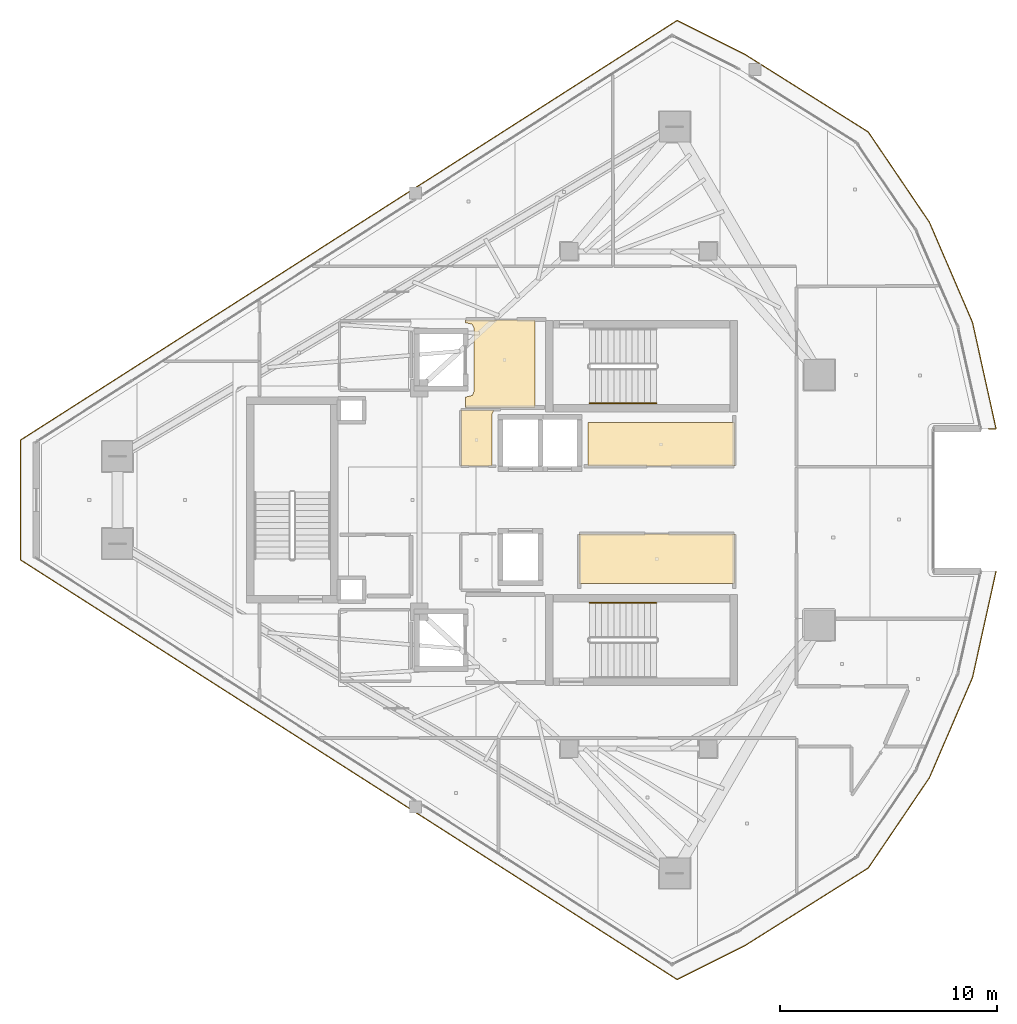
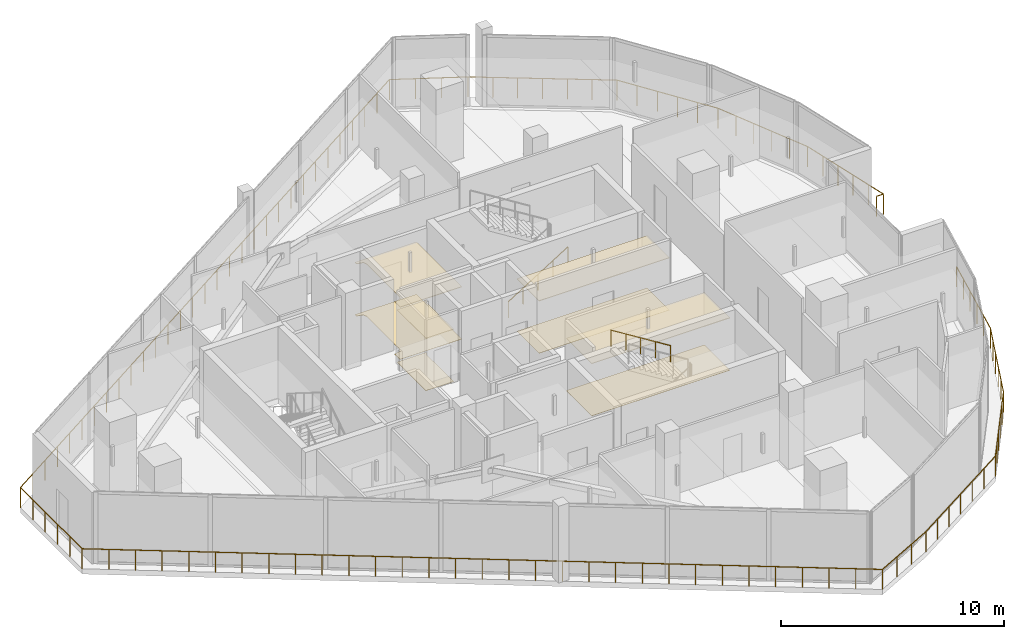
# One storey, part 23 of 25: 8 coverings, 3 railings.
"""IFC4 building model written with IfcOpenShell, lengths in metres."""

import ifcopenshell
import ifcopenshell.guid

model = None  # the IFC model being written
_history = None  # IfcOwnerHistory: only IFC2X3 demands one
_inside = {}  # id of a spatial element -> (the spatial element, [elements in it])
_under = {}  # id of a project, library or spatial element -> (it, [spatial elements below it])
_declared = {}  # id of a project -> (the project, [libraries it declares])
_typed = {}  # id of a type object -> (the type object, [elements of that type])
_made_of = {}  # id of a material, layer set ... -> (it, [elements and type objects made of it])


def new_model(schema):
    """Start an empty IFC model of exactly this schema.

    Asked for "IFC4X3", IfcOpenShell would pick the latest addendum, in which some entities
    have other attributes; the version numbers below select the first issue.
    IFC2X3 requires an IfcOwnerHistory on every rooted entity: one is made here for all.
    """
    global model, _history
    if schema == "IFC4X3":
        model = ifcopenshell.file(schema_version=(4, 3, 0, 0))
    else:
        model = ifcopenshell.file(schema=schema)
    _inside.clear()
    _under.clear()
    _declared.clear()
    _typed.clear()
    _made_of.clear()
    _history = None
    if model.schema == "IFC2X3":
        org = make("IfcOrganization", Name="unknown")
        user = make(
            "IfcPersonAndOrganization",
            ThePerson=make("IfcPerson", FamilyName="unknown"),
            TheOrganization=org,
        )
        app = make(
            "IfcApplication",
            ApplicationDeveloper=org,
            Version="unknown",
            ApplicationFullName="unknown",
            ApplicationIdentifier="unknown",
        )
        _history = make(
            "IfcOwnerHistory",
            OwningUser=user,
            OwningApplication=app,
            ChangeAction="ADDED",
            CreationDate=0,
        )
    return model


def make(cls, **values):
    """One entity of the class cls with the attributes given. An attribute that is None is left unset."""
    return model.create_entity(
        cls, **{name: value for name, value in values.items() if value is not None}
    )


def rooted(cls, **values):
    """An entity with a GlobalId (a new one), such as an element, a storey or a relation."""
    return make(cls, GlobalId=ifcopenshell.guid.new(), OwnerHistory=_history, **values)


def si_unit(unit_type, name, prefix=None):
    """IfcSIUnit, for example si_unit("LENGTHUNIT", "METRE", prefix="MILLI")."""
    return make("IfcSIUnit", UnitType=unit_type, Prefix=prefix, Name=name)


def assignment(units):
    """IfcUnitAssignment: the units of a project."""
    return None if units is None else make("IfcUnitAssignment", Units=units)


def point(xyz):
    """IfcCartesianPoint."""
    return None if xyz is None else make("IfcCartesianPoint", Coordinates=xyz)


def direction(xyz):
    """IfcDirection."""
    return None if xyz is None else make("IfcDirection", DirectionRatios=xyz)


def frame(location, z_axis=None, x_axis=None):
    """IfcAxis2Placement3D, a coordinate frame: its origin and axes. An axis left out is left unset."""
    return make(
        "IfcAxis2Placement3D",
        Location=point(location),
        Axis=direction(z_axis),
        RefDirection=direction(x_axis),
    )


def frame_2d(location, x_axis=None):
    """IfcAxis2Placement2D, a coordinate frame in the plane: its origin and x axis."""
    return make(
        "IfcAxis2Placement2D", Location=point(location), RefDirection=direction(x_axis)
    )


def origin():
    """The frame at (0, 0, 0) with its axes left unset."""
    return frame((0.0, 0.0, 0.0))


def origin_2d():
    """The frame at (0, 0) in the plane with its x axis left unset."""
    return frame_2d((0.0, 0.0))


def place(relative_to, where):
    """IfcLocalPlacement: puts the frame where relative to a parent placement (None: the world)."""
    return make(
        "IfcLocalPlacement", PlacementRelTo=relative_to, RelativePlacement=where
    )


def context(
    kind, dimensions, precision=None, world=None, true_north=None, identifier=None
):
    """IfcGeometricRepresentationContext, for example the 3D "Model" context."""
    return make(
        "IfcGeometricRepresentationContext",
        ContextIdentifier=identifier,
        ContextType=kind,
        CoordinateSpaceDimension=dimensions,
        Precision=precision,
        WorldCoordinateSystem=world,
        TrueNorth=true_north,
    )


def subcontext(parent, identifier, kind, view, scale=None):
    """IfcGeometricRepresentationSubContext, for example "Body" below "Model"."""
    return make(
        "IfcGeometricRepresentationSubContext",
        ContextIdentifier=identifier,
        ContextType=kind,
        ParentContext=parent,
        TargetScale=scale,
        TargetView=view,
    )


def project(units=None, contexts=None):
    """IfcProject with its units and contexts."""
    return rooted(
        "IfcProject",
        Name="project",
        RepresentationContexts=contexts,
        UnitsInContext=assignment(units),
    )


def spatial(cls, under=None, at=None, **own):
    """A site, building, storey or space (cls), placed at a placement, below another one or the project."""
    s = rooted(cls, ObjectPlacement=at, **own)
    if under is not None:
        _under.setdefault(under.id(), (under, []))[1].append(s)
    return s


def polyline(points):
    """IfcPolyline through the points."""
    return make("IfcPolyline", Points=[point(p) for p in points])


def profile(cls, at=None, kind="AREA", **sizes):
    """A parametric profile (cls). Its sizes go by their IFC names, for example OverallWidth=200.0."""
    return make(cls, ProfileType=kind, Position=at, **sizes)


def circle(**sizes):
    """IfcCircleProfileDef."""
    return profile("IfcCircleProfileDef", **sizes)


def outline(outer, holes=None, kind="AREA"):
    """IfcArbitraryClosedProfileDef: a profile drawn as a closed curve; with holes, ...WithVoids."""
    if holes is None:
        return make("IfcArbitraryClosedProfileDef", ProfileType=kind, OuterCurve=outer)
    return make(
        "IfcArbitraryProfileDefWithVoids",
        ProfileType=kind,
        OuterCurve=outer,
        InnerCurves=holes,
    )


def extrude(swept, where, along, depth):
    """IfcExtrudedAreaSolid: the profile swept, set in the frame where, extruded along a direction by depth."""
    return make(
        "IfcExtrudedAreaSolid",
        SweptArea=swept,
        Position=where,
        ExtrudedDirection=direction(along),
        Depth=depth,
    )


def shape(context_of_items, identifier, shape_type, items):
    """IfcShapeRepresentation: the items that make up one representation, for example the "Body"."""
    return make(
        "IfcShapeRepresentation",
        ContextOfItems=context_of_items,
        RepresentationIdentifier=identifier,
        RepresentationType=shape_type,
        Items=items,
    )


def material(Name=None, Category=None):
    """IfcMaterial."""
    return make("IfcMaterial", Name=Name, Category=Category)


def layer(
    of_material, thickness, ventilated=None, Name=None, Category=None, Priority=None
):
    """IfcMaterialLayer: one layer of a wall or slab, of a material (None: an air gap)."""
    return make(
        "IfcMaterialLayer",
        Material=of_material,
        LayerThickness=thickness,
        IsVentilated=ventilated,
        Name=Name,
        Category=Category,
        Priority=Priority,
    )


def layer_set(layers, Name=None):
    """IfcMaterialLayerSet."""
    return make("IfcMaterialLayerSet", MaterialLayers=layers, LayerSetName=Name)


def made_of(thing, what):
    """Note that an element or type object is made of a material, layer set ...; save() writes the relation."""
    if what is not None:
        _made_of.setdefault(what.id(), (what, []))[1].append(thing)
    return thing


def type_object(cls, material=None, **own):
    """A type object (cls), such as IfcWallType, which elements share."""
    return made_of(rooted(cls, **own), material)


def element(
    cls,
    number,
    at=None,
    inside=None,
    cuts=None,
    type_object=None,
    material=None,
    context=None,
    identifier="Body",
    shape_type=None,
    held_by="IfcProductDefinitionShape",
    body=None,
    shapes=None,
    **own,
):
    """One element of the class cls, such as IfcWall. Its Tag is "e" and its number.

    at: its placement. inside: the storey or other place that contains it. cuts: it is an
    opening in that element (IfcRelVoidsElement). A single representation is given by context,
    identifier, shape_type and body (its items); several are given by shapes. held_by: the class
    of the entity that holds the representations. save() writes the other relations.
    """
    e = rooted(cls, Tag="e%d" % number, ObjectPlacement=at, **own)
    if body is not None:
        shapes = [shape(context, identifier, shape_type, body)]
    if shapes is not None:
        e.Representation = make(held_by, Representations=shapes)
    if inside is not None:
        _inside.setdefault(inside.id(), (inside, []))[1].append(e)
    if cuts is not None:
        rooted(
            "IfcRelVoidsElement", RelatingBuildingElement=cuts, RelatedOpeningElement=e
        )
    if type_object is not None:
        _typed.setdefault(type_object.id(), (type_object, []))[1].append(e)
    return made_of(e, material)


def aggregate(whole, parts):
    """IfcRelAggregates: a whole, such as a stair, and the parts it consists of."""
    return rooted("IfcRelAggregates", RelatingObject=whole, RelatedObjects=parts)


def save(model, path):
    """Write the relations noted so far, then the file.

    IfcRelAggregates (storeys below a building ...), IfcRelContainedInSpatialStructure (elements
    in a storey), IfcRelDefinesByType, IfcRelAssociatesMaterial and IfcRelDeclares: one each for
    every whole, place, type object, material and project.
    """
    for whole, parts in _under.values():
        aggregate(whole, parts)
    for where, things in _inside.values():
        rooted(
            "IfcRelContainedInSpatialStructure",
            RelatedElements=things,
            RelatingStructure=where,
        )
    for kind, things in _typed.values():
        rooted("IfcRelDefinesByType", RelatedObjects=things, RelatingType=kind)
    for what, things in _made_of.values():
        rooted("IfcRelAssociatesMaterial", RelatedObjects=things, RelatingMaterial=what)
    for by, libraries in _declared.values():
        rooted("IfcRelDeclares", RelatingContext=by, RelatedDefinitions=libraries)
    model.write(path)


model = new_model("IFC4")

# Units and contexts
model_context = context("Model", 3, precision=1e-05, world=origin(), true_north=direction((0.0, 1.0)))
body_context = subcontext(model_context, "Body", "Model", "MODEL_VIEW")
ifc_project = project(units=[si_unit("LENGTHUNIT", "METRE"), si_unit("AREAUNIT", "SQUARE_METRE"), si_unit("VOLUMEUNIT", "CUBIC_METRE"), si_unit("PLANEANGLEUNIT", "RADIAN"), si_unit("MASSUNIT", "GRAM", prefix="KILO")], contexts=[model_context])

# Site, building, storey
site_placement = place(None, origin())
site = spatial("IfcSite", under=ifc_project, at=site_placement, CompositionType="ELEMENT")
building_placement = place(site_placement, origin())
building = spatial("IfcBuilding", under=site, at=building_placement, Name="Qorvath Tower", CompositionType="ELEMENT")
storey_placement = place(building_placement, frame((0.0, 0.0, 314.39990234375)))
storey = spatial("IfcBuildingStorey", under=building, at=storey_placement, Name="L73", CompositionType="ELEMENT", Elevation=314.39990234375)

# Coverings
ifc_material_1 = material(Name="Acoustic mineral fibre ceiling tile", Category="gypsum")
ifc_layer_1 = layer(ifc_material_1, 0.030029296875)
ifc_layer_set_1 = layer_set([ifc_layer_1], Name="COV-CEIL")
covering_type_1 = type_object("IfcCoveringType", Name="COV-CEIL", PredefinedType="CEILING", material=ifc_layer_set_1)
covering_1_placement = place(storey_placement, frame((0.0, 0.0, 2.85009765625)))
element("IfcCovering", 1, at=covering_1_placement, inside=storey, type_object=covering_type_1, Name="L73 Suspended Acoustic Ceiling 001", PredefinedType="CEILING", context=body_context, shape_type="SweptSolid", body=[
    extrude(outline(polyline([(-25.18994140625, 4.2548828125), (-25.18994140625, 8.294921875), (-28.375, 8.294921875), (-28.375, 8.159912109375), (-28.063232421875, 8.086669921875), (-27.989990234375, 7.909912109375), (-27.989990234375, 4.989990234375), (-28.063232421875, 4.813232421875), (-28.375, 4.739990234375), (-28.375, 4.2548828125), (-25.18994140625, 4.2548828125)])), origin(), (0.0, 0.0, 1.0), 0.030029296875),
])
covering_2_placement = place(storey_placement, frame((0.0, 0.0, 2.85009765625)))
element("IfcCovering", 2, at=covering_2_placement, inside=storey, type_object=covering_type_1, Name="L73 Suspended Acoustic Ceiling 003", PredefinedType="CEILING", context=body_context, shape_type="SweptSolid", body=[
    extrude(outline(polyline([(-16.0048828125, 3.56005859375), (-22.739990234375, 3.56005859375), (-22.739990234375, 1.56494140625), (-16.0048828125, 1.56494140625), (-16.0048828125, 3.56005859375)])), origin(), (0.0, 0.0, 1.0), 0.030029296875),
])
covering_3_placement = place(storey_placement, frame((0.0, 0.0, 2.85009765625)))
element("IfcCovering", 3, at=covering_3_placement, inside=storey, type_object=covering_type_1, Name="L73 Suspended Acoustic Ceiling 004", PredefinedType="CEILING", context=body_context, shape_type="SweptSolid", body=[
    extrude(outline(polyline([(-23.14501953125, -3.85009765625), (-16.0048828125, -3.85009765625), (-16.0048828125, -1.56494140625), (-23.14501953125, -1.56494140625), (-23.14501953125, -3.85009765625)])), origin(), (0.0, 0.0, 1.0), 0.030029296875),
])
covering_4_placement = place(storey_placement, frame((0.0, 0.0, 2.85009765625)))
element("IfcCovering", 4, at=covering_4_placement, inside=storey, type_object=covering_type_1, Name="L73 Suspended Acoustic Ceiling 005", PredefinedType="CEILING", context=body_context, shape_type="SweptSolid", body=[
    extrude(outline(polyline([(-27.159912109375, 1.56494140625), (-27.159912109375, 3.9599609375), (-27.06689453125, 4.14501953125), (-28.594970703125, 4.14501953125), (-28.594970703125, 1.56494140625), (-27.159912109375, 1.56494140625)])), origin(), (0.0, 0.0, 1.0), 0.030029296875),
])
ifc_material_2 = material(Name="Low-VOC modular carpet tile", Category="textile")
ifc_layer_2 = layer(ifc_material_2, 0.014892578125)
ifc_layer_set_2 = layer_set([ifc_layer_2], Name="COV-FLOOR-CPT")
covering_type_2 = type_object("IfcCoveringType", Name="COV-FLOOR-CPT", PredefinedType="FLOORING", material=ifc_layer_set_2)
covering_5_placement = place(storey_placement, origin())
element("IfcCovering", 5, at=covering_5_placement, inside=storey, type_object=covering_type_2, Name="L73 Floor Finish 003", PredefinedType="FLOORING", context=body_context, shape_type="SweptSolid", body=[
    extrude(outline(polyline([(-16.0048828125, 3.56005859375), (-22.739990234375, 3.56005859375), (-22.739990234375, 1.56494140625), (-16.0048828125, 1.56494140625), (-16.0048828125, 3.56005859375)])), origin(), (0.0, 0.0, 1.0), 0.01513671875),
])
covering_6_placement = place(storey_placement, origin())
element("IfcCovering", 6, at=covering_6_placement, inside=storey, type_object=covering_type_2, Name="L73 Floor Finish 004", PredefinedType="FLOORING", context=body_context, shape_type="SweptSolid", body=[
    extrude(outline(polyline([(-23.14501953125, -3.85009765625), (-16.0048828125, -3.85009765625), (-16.0048828125, -1.56494140625), (-23.14501953125, -1.56494140625), (-23.14501953125, -3.85009765625)])), origin(), (0.0, 0.0, 1.0), 0.01513671875),
])
covering_7_placement = place(storey_placement, origin())
element("IfcCovering", 7, at=covering_7_placement, inside=storey, type_object=covering_type_2, Name="L73 Floor Finish 005", PredefinedType="FLOORING", context=body_context, shape_type="SweptSolid", body=[
    extrude(outline(polyline([(-27.159912109375, 1.56494140625), (-27.159912109375, 3.9599609375), (-27.06689453125, 4.14501953125), (-28.594970703125, 4.14501953125), (-28.594970703125, 1.56494140625), (-27.159912109375, 1.56494140625)])), origin(), (0.0, 0.0, 1.0), 0.01513671875),
])
ifc_material_3 = material(Name="Polished epoxy terrazzo flooring", Category="concrete")
ifc_layer_3 = layer(ifc_material_3, 0.02001953125)
ifc_layer_set_3 = layer_set([ifc_layer_3], Name="COV-FLOOR-TRZ")
covering_type_3 = type_object("IfcCoveringType", Name="COV-FLOOR-TRZ", PredefinedType="FLOORING", material=ifc_layer_set_3)
covering_8_placement = place(storey_placement, origin())
element("IfcCovering", 8, at=covering_8_placement, inside=storey, type_object=covering_type_3, Name="L73 Floor Finish 001", PredefinedType="FLOORING", context=body_context, shape_type="SweptSolid", body=[
    extrude(outline(polyline([(-25.18994140625, 4.2548828125), (-25.18994140625, 8.294921875), (-28.375, 8.294921875), (-28.375, 8.159912109375), (-28.063232421875, 8.086669921875), (-27.989990234375, 7.909912109375), (-27.989990234375, 4.989990234375), (-28.063232421875, 4.813232421875), (-28.375, 4.739990234375), (-28.375, 4.2548828125), (-25.18994140625, 4.2548828125)])), origin(), (0.0, 0.0, 1.0), 0.01513671875),
])

# Railings
ifc_material_4 = material(Name="Laminated safety glass and stainless steel AISI 316", Category="steel")
railing_type_1 = type_object("IfcRailingType", Name="RL-EXT-GRD", PredefinedType="GUARDRAIL", material=ifc_material_4)
railing_1_placement = place(storey_placement, frame((-3.953369140625, -3.27783203125, 0.0)))
element("IfcRailing", 9, at=railing_1_placement, inside=storey, type_object=railing_type_1, Name="Loggia Perimeter Guardrail L73-1.1", PredefinedType="GUARDRAIL", context=body_context, shape_type="SweptSolid", body=[
    extrude(circle(Radius=0.02392578125, at=origin_2d()), frame((0.0, 0.0, 1.09619140625), z_axis=(-0.216101234743, -0.976370962464, 0.0), x_axis=(0.976370962464, -0.216101234743, 0.0)), (0.0, 0.0, 1.0), 5.01953125),
    extrude(circle(Radius=0.02392578125, at=origin_2d()), frame((-1.084716796875, -4.90087890625, 1.09619140625), z_axis=(-0.395450941261, -0.918487100103, 0.0), x_axis=(0.918487100103, -0.395450941261, 0.0)), (0.0, 0.0, 1.0), 5.019287109375),
    extrude(circle(Radius=0.02392578125, at=origin_2d()), frame((-3.069580078125, -9.510986328125, 1.09619140625), z_axis=(-0.560836314338, -0.8279267048, 0.0), x_axis=(0.8279267048, -0.560836314338, 0.0)), (0.0, 0.0, 1.0), 5.019287109375),
    extrude(circle(Radius=0.02392578125, at=origin_2d()), frame((-5.884521484375, -13.66650390625, 1.09619140625), z_axis=(-0.846499037161, -0.532390251681, 0.0), x_axis=(0.532390251681, -0.846499037161, 0.0)), (0.0, 0.0, 1.0), 6.675048828125),
    extrude(circle(Radius=0.02392578125, at=origin_2d()), frame((-11.534912109375, -17.22021484375, 1.09619140625), z_axis=(-0.894427191, -0.4472135955, 0.0), x_axis=(0.4472135955, -0.894427191, 0.0)), (0.0, 0.0, 1.0), 3.525634765625),
    extrude(circle(Radius=0.02392578125, at=origin_2d()), frame((-14.688232421875, -18.796875, 1.09619140625), z_axis=(-0.842609090968, 0.538525690955, 0.0), x_axis=(-0.538525690955, -0.842609090968, 0.0)), (0.0, 0.0, 1.0), 35.86669921875),
    extrude(circle(Radius=0.02392578125, at=origin_2d()), frame((-44.909912109375, 0.518310546875, 1.09619140625), z_axis=(0.0, 1.0, 0.0), x_axis=(-1.0, 0.0, 0.0)), (0.0, 0.0, 1.0), 5.51904296875),
    extrude(circle(Radius=0.02392578125, at=origin_2d()), frame((-44.909912109375, 6.037353515625, 1.09619140625), z_axis=(0.842609090968, 0.538525690955, 0.0), x_axis=(-0.538525690955, 0.842609090968, 0.0)), (0.0, 0.0, 1.0), 35.86669921875),
    extrude(circle(Radius=0.02392578125, at=origin_2d()), frame((-14.688232421875, 25.3525390625, 1.09619140625), z_axis=(0.894427191, -0.4472135955, 0.0), x_axis=(0.4472135955, 0.894427191, 0.0)), (0.0, 0.0, 1.0), 3.525634765625),
    extrude(circle(Radius=0.02392578125, at=origin_2d()), frame((-11.534912109375, 23.77587890625, 1.09619140625), z_axis=(0.846499037161, -0.532390251681, 0.0), x_axis=(0.532390251681, 0.846499037161, 0.0)), (0.0, 0.0, 1.0), 6.675048828125),
    extrude(circle(Radius=0.02392578125, at=origin_2d()), frame((-5.884521484375, 20.22216796875, 1.09619140625), z_axis=(0.560836314338, -0.8279267048, 0.0), x_axis=(0.8279267048, 0.560836314338, 0.0)), (0.0, 0.0, 1.0), 5.019287109375),
    extrude(circle(Radius=0.02392578125, at=origin_2d()), frame((-3.069580078125, 16.066650390625, 1.09619140625), z_axis=(0.395450941261, -0.918487100103, 0.0), x_axis=(0.918487100103, 0.395450941261, 0.0)), (0.0, 0.0, 1.0), 5.019287109375),
    extrude(circle(Radius=0.02392578125, at=origin_2d()), frame((-1.084716796875, 11.45654296875, 1.09619140625), z_axis=(0.216101234743, -0.976370962464, 0.0), x_axis=(0.976370962464, 0.216101234743, 0.0)), (0.0, 0.0, 1.0), 5.01953125),
    extrude(circle(Radius=0.02392578125, at=origin_2d()), frame((0.0, 6.5556640625, 1.09619140625), z_axis=(-1.0, 0.0, 0.0), x_axis=(0.0, -1.0, 0.0)), (0.0, 0.0, 1.0), 0.354248046875),
    extrude(circle(Radius=0.02099609375, at=origin_2d()), origin(), (0.0, 0.0, 1.0), 1.072021484375),
    extrude(circle(Radius=0.02099609375, at=origin_2d()), frame((-0.217041015625, -0.980224609375, 0.0)), (0.0, 0.0, 1.0), 1.072021484375),
    extrude(circle(Radius=0.02099609375, at=origin_2d()), frame((-0.433837890625, -1.96044921875, 0.0)), (0.0, 0.0, 1.0), 1.072021484375),
    extrude(circle(Radius=0.02099609375, at=origin_2d()), frame((-0.65087890625, -2.9404296875, 0.0)), (0.0, 0.0, 1.0), 1.072021484375),
    extrude(circle(Radius=0.02099609375, at=origin_2d()), frame((-0.86767578125, -3.920654296875, 0.0)), (0.0, 0.0, 1.0), 1.072021484375),
    extrude(circle(Radius=0.02099609375, at=origin_2d()), frame((-1.084716796875, -4.90087890625, 0.0)), (0.0, 0.0, 1.0), 1.072021484375),
    extrude(circle(Radius=0.02099609375, at=origin_2d()), frame((-1.481689453125, -5.822998046875, 0.0)), (0.0, 0.0, 1.0), 1.072021484375),
    extrude(circle(Radius=0.02099609375, at=origin_2d()), frame((-1.878662109375, -6.744873046875, 0.0)), (0.0, 0.0, 1.0), 1.072021484375),
    extrude(circle(Radius=0.02099609375, at=origin_2d()), frame((-2.275634765625, -7.6669921875, 0.0)), (0.0, 0.0, 1.0), 1.072021484375),
    extrude(circle(Radius=0.02099609375, at=origin_2d()), frame((-2.672607421875, -8.5888671875, 0.0)), (0.0, 0.0, 1.0), 1.072021484375),
    extrude(circle(Radius=0.02099609375, at=origin_2d()), frame((-3.069580078125, -9.510986328125, 0.0)), (0.0, 0.0, 1.0), 1.072021484375),
    extrude(circle(Radius=0.02099609375, at=origin_2d()), frame((-3.632568359375, -10.342041015625, 0.0)), (0.0, 0.0, 1.0), 1.072021484375),
    extrude(circle(Radius=0.02099609375, at=origin_2d()), frame((-4.195556640625, -11.173095703125, 0.0)), (0.0, 0.0, 1.0), 1.072021484375),
    extrude(circle(Radius=0.02099609375, at=origin_2d()), frame((-4.758544921875, -12.00439453125, 0.0)), (0.0, 0.0, 1.0), 1.072021484375),
    extrude(circle(Radius=0.02099609375, at=origin_2d()), frame((-5.321533203125, -12.83544921875, 0.0)), (0.0, 0.0, 1.0), 1.072021484375),
    extrude(circle(Radius=0.02099609375, at=origin_2d()), frame((-5.884521484375, -13.66650390625, 0.0)), (0.0, 0.0, 1.0), 1.072021484375),
    extrude(circle(Radius=0.02099609375, at=origin_2d()), frame((-6.826171875, -14.2587890625, 0.0)), (0.0, 0.0, 1.0), 1.072021484375),
    extrude(circle(Radius=0.02099609375, at=origin_2d()), frame((-7.76806640625, -14.85107421875, 0.0)), (0.0, 0.0, 1.0), 1.072021484375),
    extrude(circle(Radius=0.02099609375, at=origin_2d()), frame((-8.709716796875, -15.443359375, 0.0)), (0.0, 0.0, 1.0), 1.072021484375),
    extrude(circle(Radius=0.02099609375, at=origin_2d()), frame((-9.6513671875, -16.03564453125, 0.0)), (0.0, 0.0, 1.0), 1.072021484375),
    extrude(circle(Radius=0.02099609375, at=origin_2d()), frame((-10.59326171875, -16.6279296875, 0.0)), (0.0, 0.0, 1.0), 1.072021484375),
    extrude(circle(Radius=0.02099609375, at=origin_2d()), frame((-11.534912109375, -17.22021484375, 0.0)), (0.0, 0.0, 1.0), 1.072021484375),
    extrude(circle(Radius=0.02099609375, at=origin_2d()), frame((-12.5859375, -17.745849609375, 0.0)), (0.0, 0.0, 1.0), 1.072021484375),
    extrude(circle(Radius=0.02099609375, at=origin_2d()), frame((-13.63720703125, -18.271240234375, 0.0)), (0.0, 0.0, 1.0), 1.072021484375),
    extrude(circle(Radius=0.02099609375, at=origin_2d()), frame((-14.688232421875, -18.796875, 0.0)), (0.0, 0.0, 1.0), 1.072021484375),
    extrude(circle(Radius=0.02099609375, at=origin_2d()), frame((-15.695556640625, -18.153076171875, 0.0)), (0.0, 0.0, 1.0), 1.072021484375),
    extrude(circle(Radius=0.02099609375, at=origin_2d()), frame((-16.703125, -17.50927734375, 0.0)), (0.0, 0.0, 1.0), 1.072021484375),
    extrude(circle(Radius=0.02099609375, at=origin_2d()), frame((-17.71044921875, -16.865234375, 0.0)), (0.0, 0.0, 1.0), 1.072021484375),
    extrude(circle(Radius=0.02099609375, at=origin_2d()), frame((-18.7177734375, -16.221435546875, 0.0)), (0.0, 0.0, 1.0), 1.072021484375),
    extrude(circle(Radius=0.02099609375, at=origin_2d()), frame((-19.72509765625, -15.57763671875, 0.0)), (0.0, 0.0, 1.0), 1.072021484375),
    extrude(circle(Radius=0.02099609375, at=origin_2d()), frame((-20.732666015625, -14.933837890625, 0.0)), (0.0, 0.0, 1.0), 1.072021484375),
    extrude(circle(Radius=0.02099609375, at=origin_2d()), frame((-21.739990234375, -14.2900390625, 0.0)), (0.0, 0.0, 1.0), 1.072021484375),
    extrude(circle(Radius=0.02099609375, at=origin_2d()), frame((-22.747314453125, -13.646240234375, 0.0)), (0.0, 0.0, 1.0), 1.072021484375),
    extrude(circle(Radius=0.02099609375, at=origin_2d()), frame((-23.754638671875, -13.00244140625, 0.0)), (0.0, 0.0, 1.0), 1.072021484375),
    extrude(circle(Radius=0.02099609375, at=origin_2d()), frame((-24.76220703125, -12.3583984375, 0.0)), (0.0, 0.0, 1.0), 1.072021484375),
    extrude(circle(Radius=0.02099609375, at=origin_2d()), frame((-25.76953125, -11.714599609375, 0.0)), (0.0, 0.0, 1.0), 1.072021484375),
    extrude(circle(Radius=0.02099609375, at=origin_2d()), frame((-26.77685546875, -11.07080078125, 0.0)), (0.0, 0.0, 1.0), 1.072021484375),
    extrude(circle(Radius=0.02099609375, at=origin_2d()), frame((-27.7841796875, -10.427001953125, 0.0)), (0.0, 0.0, 1.0), 1.072021484375),
    extrude(circle(Radius=0.02099609375, at=origin_2d()), frame((-28.791748046875, -9.783203125, 0.0)), (0.0, 0.0, 1.0), 1.072021484375),
    extrude(circle(Radius=0.02099609375, at=origin_2d()), frame((-29.799072265625, -9.13916015625, 0.0)), (0.0, 0.0, 1.0), 1.072021484375),
    extrude(circle(Radius=0.02099609375, at=origin_2d()), frame((-30.806396484375, -8.495361328125, 0.0)), (0.0, 0.0, 1.0), 1.072021484375),
    extrude(circle(Radius=0.02099609375, at=origin_2d()), frame((-31.81396484375, -7.8515625, 0.0)), (0.0, 0.0, 1.0), 1.072021484375),
    extrude(circle(Radius=0.02099609375, at=origin_2d()), frame((-32.8212890625, -7.207763671875, 0.0)), (0.0, 0.0, 1.0), 1.072021484375),
    extrude(circle(Radius=0.02099609375, at=origin_2d()), frame((-33.82861328125, -6.56396484375, 0.0)), (0.0, 0.0, 1.0), 1.072021484375),
    extrude(circle(Radius=0.02099609375, at=origin_2d()), frame((-34.8359375, -5.920166015625, 0.0)), (0.0, 0.0, 1.0), 1.072021484375),
    extrude(circle(Radius=0.02099609375, at=origin_2d()), frame((-35.843505859375, -5.2763671875, 0.0)), (0.0, 0.0, 1.0), 1.072021484375),
    extrude(circle(Radius=0.02099609375, at=origin_2d()), frame((-36.850830078125, -4.63232421875, 0.0)), (0.0, 0.0, 1.0), 1.072021484375),
    extrude(circle(Radius=0.02099609375, at=origin_2d()), frame((-37.858154296875, -3.988525390625, 0.0)), (0.0, 0.0, 1.0), 1.072021484375),
    extrude(circle(Radius=0.02099609375, at=origin_2d()), frame((-38.865478515625, -3.3447265625, 0.0)), (0.0, 0.0, 1.0), 1.072021484375),
    extrude(circle(Radius=0.02099609375, at=origin_2d()), frame((-39.873046875, -2.700927734375, 0.0)), (0.0, 0.0, 1.0), 1.072021484375),
    extrude(circle(Radius=0.02099609375, at=origin_2d()), frame((-40.88037109375, -2.05712890625, 0.0)), (0.0, 0.0, 1.0), 1.072021484375),
    extrude(circle(Radius=0.02099609375, at=origin_2d()), frame((-41.8876953125, -1.4130859375, 0.0)), (0.0, 0.0, 1.0), 1.072021484375),
    extrude(circle(Radius=0.02099609375, at=origin_2d()), frame((-42.89501953125, -0.769287109375, 0.0)), (0.0, 0.0, 1.0), 1.072021484375),
    extrude(circle(Radius=0.02099609375, at=origin_2d()), frame((-43.902587890625, -0.12548828125, 0.0)), (0.0, 0.0, 1.0), 1.072021484375),
    extrude(circle(Radius=0.02099609375, at=origin_2d()), frame((-44.909912109375, 0.518310546875, 0.0)), (0.0, 0.0, 1.0), 1.072021484375),
    extrude(circle(Radius=0.02099609375, at=origin_2d()), frame((-44.909912109375, 1.6220703125, 0.0)), (0.0, 0.0, 1.0), 1.072021484375),
    extrude(circle(Radius=0.02099609375, at=origin_2d()), frame((-44.909912109375, 2.725830078125, 0.0)), (0.0, 0.0, 1.0), 1.072021484375),
    extrude(circle(Radius=0.02099609375, at=origin_2d()), frame((-44.909912109375, 3.829833984375, 0.0)), (0.0, 0.0, 1.0), 1.072021484375),
    extrude(circle(Radius=0.02099609375, at=origin_2d()), frame((-44.909912109375, 4.93359375, 0.0)), (0.0, 0.0, 1.0), 1.072021484375),
    extrude(circle(Radius=0.02099609375, at=origin_2d()), frame((-44.909912109375, 6.037353515625, 0.0)), (0.0, 0.0, 1.0), 1.072021484375),
    extrude(circle(Radius=0.02099609375, at=origin_2d()), frame((-43.902587890625, 6.68115234375, 0.0)), (0.0, 0.0, 1.0), 1.072021484375),
    extrude(circle(Radius=0.02099609375, at=origin_2d()), frame((-42.89501953125, 7.324951171875, 0.0)), (0.0, 0.0, 1.0), 1.072021484375),
    extrude(circle(Radius=0.02099609375, at=origin_2d()), frame((-41.8876953125, 7.96875, 0.0)), (0.0, 0.0, 1.0), 1.072021484375),
    extrude(circle(Radius=0.02099609375, at=origin_2d()), frame((-40.88037109375, 8.61279296875, 0.0)), (0.0, 0.0, 1.0), 1.072021484375),
    extrude(circle(Radius=0.02099609375, at=origin_2d()), frame((-39.873046875, 9.256591796875, 0.0)), (0.0, 0.0, 1.0), 1.072021484375),
    extrude(circle(Radius=0.02099609375, at=origin_2d()), frame((-38.865478515625, 9.900390625, 0.0)), (0.0, 0.0, 1.0), 1.072021484375),
    extrude(circle(Radius=0.02099609375, at=origin_2d()), frame((-37.858154296875, 10.544189453125, 0.0)), (0.0, 0.0, 1.0), 1.072021484375),
    extrude(circle(Radius=0.02099609375, at=origin_2d()), frame((-36.850830078125, 11.18798828125, 0.0)), (0.0, 0.0, 1.0), 1.072021484375),
    extrude(circle(Radius=0.02099609375, at=origin_2d()), frame((-35.843505859375, 11.83203125, 0.0)), (0.0, 0.0, 1.0), 1.072021484375),
    extrude(circle(Radius=0.02099609375, at=origin_2d()), frame((-34.8359375, 12.475830078125, 0.0)), (0.0, 0.0, 1.0), 1.072021484375),
    extrude(circle(Radius=0.02099609375, at=origin_2d()), frame((-33.82861328125, 13.11962890625, 0.0)), (0.0, 0.0, 1.0), 1.072021484375),
    extrude(circle(Radius=0.02099609375, at=origin_2d()), frame((-32.8212890625, 13.763427734375, 0.0)), (0.0, 0.0, 1.0), 1.072021484375),
    extrude(circle(Radius=0.02099609375, at=origin_2d()), frame((-31.81396484375, 14.4072265625, 0.0)), (0.0, 0.0, 1.0), 1.072021484375),
    extrude(circle(Radius=0.02099609375, at=origin_2d()), frame((-30.806396484375, 15.051025390625, 0.0)), (0.0, 0.0, 1.0), 1.072021484375),
    extrude(circle(Radius=0.02099609375, at=origin_2d()), frame((-29.799072265625, 15.69482421875, 0.0)), (0.0, 0.0, 1.0), 1.072021484375),
    extrude(circle(Radius=0.02099609375, at=origin_2d()), frame((-28.791748046875, 16.3388671875, 0.0)), (0.0, 0.0, 1.0), 1.072021484375),
    extrude(circle(Radius=0.02099609375, at=origin_2d()), frame((-27.7841796875, 16.982666015625, 0.0)), (0.0, 0.0, 1.0), 1.072021484375),
    extrude(circle(Radius=0.02099609375, at=origin_2d()), frame((-26.77685546875, 17.62646484375, 0.0)), (0.0, 0.0, 1.0), 1.072021484375),
    extrude(circle(Radius=0.02099609375, at=origin_2d()), frame((-25.76953125, 18.270263671875, 0.0)), (0.0, 0.0, 1.0), 1.072021484375),
    extrude(circle(Radius=0.02099609375, at=origin_2d()), frame((-24.76220703125, 18.9140625, 0.0)), (0.0, 0.0, 1.0), 1.072021484375),
    extrude(circle(Radius=0.02099609375, at=origin_2d()), frame((-23.754638671875, 19.55810546875, 0.0)), (0.0, 0.0, 1.0), 1.072021484375),
    extrude(circle(Radius=0.02099609375, at=origin_2d()), frame((-22.747314453125, 20.201904296875, 0.0)), (0.0, 0.0, 1.0), 1.072021484375),
    extrude(circle(Radius=0.02099609375, at=origin_2d()), frame((-21.739990234375, 20.845703125, 0.0)), (0.0, 0.0, 1.0), 1.072021484375),
    extrude(circle(Radius=0.02099609375, at=origin_2d()), frame((-20.732666015625, 21.489501953125, 0.0)), (0.0, 0.0, 1.0), 1.072021484375),
    extrude(circle(Radius=0.02099609375, at=origin_2d()), frame((-19.72509765625, 22.13330078125, 0.0)), (0.0, 0.0, 1.0), 1.072021484375),
    extrude(circle(Radius=0.02099609375, at=origin_2d()), frame((-18.7177734375, 22.777099609375, 0.0)), (0.0, 0.0, 1.0), 1.072021484375),
    extrude(circle(Radius=0.02099609375, at=origin_2d()), frame((-17.71044921875, 23.4208984375, 0.0)), (0.0, 0.0, 1.0), 1.072021484375),
    extrude(circle(Radius=0.02099609375, at=origin_2d()), frame((-16.703125, 24.06494140625, 0.0)), (0.0, 0.0, 1.0), 1.072021484375),
    extrude(circle(Radius=0.02099609375, at=origin_2d()), frame((-15.695556640625, 24.708740234375, 0.0)), (0.0, 0.0, 1.0), 1.072021484375),
    extrude(circle(Radius=0.02099609375, at=origin_2d()), frame((-14.688232421875, 25.3525390625, 0.0)), (0.0, 0.0, 1.0), 1.072021484375),
    extrude(circle(Radius=0.02099609375, at=origin_2d()), frame((-13.63720703125, 24.826904296875, 0.0)), (0.0, 0.0, 1.0), 1.072021484375),
    extrude(circle(Radius=0.02099609375, at=origin_2d()), frame((-12.5859375, 24.301513671875, 0.0)), (0.0, 0.0, 1.0), 1.072021484375),
    extrude(circle(Radius=0.02099609375, at=origin_2d()), frame((-11.534912109375, 23.77587890625, 0.0)), (0.0, 0.0, 1.0), 1.072021484375),
    extrude(circle(Radius=0.02099609375, at=origin_2d()), frame((-10.59326171875, 23.18359375, 0.0)), (0.0, 0.0, 1.0), 1.072021484375),
    extrude(circle(Radius=0.02099609375, at=origin_2d()), frame((-9.6513671875, 22.59130859375, 0.0)), (0.0, 0.0, 1.0), 1.072021484375),
    extrude(circle(Radius=0.02099609375, at=origin_2d()), frame((-8.709716796875, 21.9990234375, 0.0)), (0.0, 0.0, 1.0), 1.072021484375),
    extrude(circle(Radius=0.02099609375, at=origin_2d()), frame((-7.76806640625, 21.40673828125, 0.0)), (0.0, 0.0, 1.0), 1.072021484375),
    extrude(circle(Radius=0.02099609375, at=origin_2d()), frame((-6.826171875, 20.814453125, 0.0)), (0.0, 0.0, 1.0), 1.072021484375),
    extrude(circle(Radius=0.02099609375, at=origin_2d()), frame((-5.884521484375, 20.22216796875, 0.0)), (0.0, 0.0, 1.0), 1.072021484375),
    extrude(circle(Radius=0.02099609375, at=origin_2d()), frame((-5.321533203125, 19.39111328125, 0.0)), (0.0, 0.0, 1.0), 1.072021484375),
    extrude(circle(Radius=0.02099609375, at=origin_2d()), frame((-4.758544921875, 18.56005859375, 0.0)), (0.0, 0.0, 1.0), 1.072021484375),
    extrude(circle(Radius=0.02099609375, at=origin_2d()), frame((-4.195556640625, 17.728759765625, 0.0)), (0.0, 0.0, 1.0), 1.072021484375),
    extrude(circle(Radius=0.02099609375, at=origin_2d()), frame((-3.632568359375, 16.897705078125, 0.0)), (0.0, 0.0, 1.0), 1.072021484375),
    extrude(circle(Radius=0.02099609375, at=origin_2d()), frame((-3.069580078125, 16.066650390625, 0.0)), (0.0, 0.0, 1.0), 1.072021484375),
    extrude(circle(Radius=0.02099609375, at=origin_2d()), frame((-2.672607421875, 15.14453125, 0.0)), (0.0, 0.0, 1.0), 1.072021484375),
    extrude(circle(Radius=0.02099609375, at=origin_2d()), frame((-2.275634765625, 14.22265625, 0.0)), (0.0, 0.0, 1.0), 1.072021484375),
    extrude(circle(Radius=0.02099609375, at=origin_2d()), frame((-1.878662109375, 13.300537109375, 0.0)), (0.0, 0.0, 1.0), 1.072021484375),
    extrude(circle(Radius=0.02099609375, at=origin_2d()), frame((-1.481689453125, 12.378662109375, 0.0)), (0.0, 0.0, 1.0), 1.072021484375),
    extrude(circle(Radius=0.02099609375, at=origin_2d()), frame((-1.084716796875, 11.45654296875, 0.0)), (0.0, 0.0, 1.0), 1.072021484375),
    extrude(circle(Radius=0.02099609375, at=origin_2d()), frame((-0.86767578125, 10.476318359375, 0.0)), (0.0, 0.0, 1.0), 1.072021484375),
    extrude(circle(Radius=0.02099609375, at=origin_2d()), frame((-0.65087890625, 9.49609375, 0.0)), (0.0, 0.0, 1.0), 1.072021484375),
    extrude(circle(Radius=0.02099609375, at=origin_2d()), frame((-0.433837890625, 8.51611328125, 0.0)), (0.0, 0.0, 1.0), 1.072021484375),
    extrude(circle(Radius=0.02099609375, at=origin_2d()), frame((-0.217041015625, 7.535888671875, 0.0)), (0.0, 0.0, 1.0), 1.072021484375),
    extrude(circle(Radius=0.02099609375, at=origin_2d()), frame((0.0, 6.5556640625, 0.0)), (0.0, 0.0, 1.0), 1.072021484375),
    extrude(circle(Radius=0.02099609375, at=origin_2d()), frame((-0.354248046875, 6.5556640625, 0.0)), (0.0, 0.0, 1.0), 1.072021484375),
])
ifc_material_5 = material(Name="Brushed stainless steel AISI 304", Category="steel")
railing_type_2 = type_object("IfcRailingType", Name="RL-STR-HND", PredefinedType="HANDRAIL", material=ifc_material_5)
railing_2_placement = place(storey_placement, frame((-22.669921875, 4.449951171875, 0.175048828125)))
element("IfcRailing", 10, at=railing_2_placement, inside=storey, type_object=railing_type_2, Name="L73 TS1 stair handrail 1", PredefinedType="HANDRAIL", context=body_context, shape_type="SweptSolid", body=[
    extrude(circle(Radius=0.02392578125, at=origin_2d()), frame((0.0, 0.0, 0.8759765625), z_axis=(0.847979421464, 0.0, 0.530029150871), x_axis=(0.0, 1.0, 0.0)), (0.0, 0.0, 1.0), 3.632080078125),
    extrude(circle(Radius=0.02099609375, at=origin_2d()), origin(), (0.0, 0.0, 1.0), 0.851806640625),
    extrude(circle(Radius=0.02099609375, at=origin_2d()), frame((0.77001953125, 0.0, 0.481201171875)), (0.0, 0.0, 1.0), 0.851806640625),
    extrude(circle(Radius=0.02099609375, at=origin_2d()), frame((1.5400390625, 0.0, 0.96240234375)), (0.0, 0.0, 1.0), 0.851806640625),
    extrude(circle(Radius=0.02099609375, at=origin_2d()), frame((2.309814453125, 0.0, 1.44384765625)), (0.0, 0.0, 1.0), 0.851806640625),
    extrude(circle(Radius=0.02099609375, at=origin_2d()), frame((3.079833984375, 0.0, 1.925048828125)), (0.0, 0.0, 1.0), 0.851806640625),
])
railing_3_placement = place(storey_placement, frame((-19.590087890625, -4.739990234375, 2.275146484375)))
element("IfcRailing", 11, at=railing_3_placement, inside=storey, type_object=railing_type_2, Name="L73 TS2 stair handrail 2", PredefinedType="HANDRAIL", context=body_context, shape_type="SweptSolid", body=[
    extrude(circle(Radius=0.02392578125, at=origin_2d()), frame((0.0, 0.0, 0.8759765625), z_axis=(-0.847979421464, 0.0, 0.530029150871), x_axis=(0.0, -1.0, 0.0)), (0.0, 0.0, 1.0), 3.632080078125),
    extrude(circle(Radius=0.02099609375, at=origin_2d()), origin(), (0.0, 0.0, 1.0), 0.851806640625),
    extrude(circle(Radius=0.02099609375, at=origin_2d()), frame((-0.77001953125, 0.0, 0.481201171875)), (0.0, 0.0, 1.0), 0.851806640625),
    extrude(circle(Radius=0.02099609375, at=origin_2d()), frame((-1.5400390625, 0.0, 0.96240234375)), (0.0, 0.0, 1.0), 0.851806640625),
    extrude(circle(Radius=0.02099609375, at=origin_2d()), frame((-2.309814453125, 0.0, 1.44384765625)), (0.0, 0.0, 1.0), 0.851806640625),
    extrude(circle(Radius=0.02099609375, at=origin_2d()), frame((-3.079833984375, 0.0, 1.925048828125)), (0.0, 0.0, 1.0), 0.851806640625),
])

save(model, "model.ifc")
